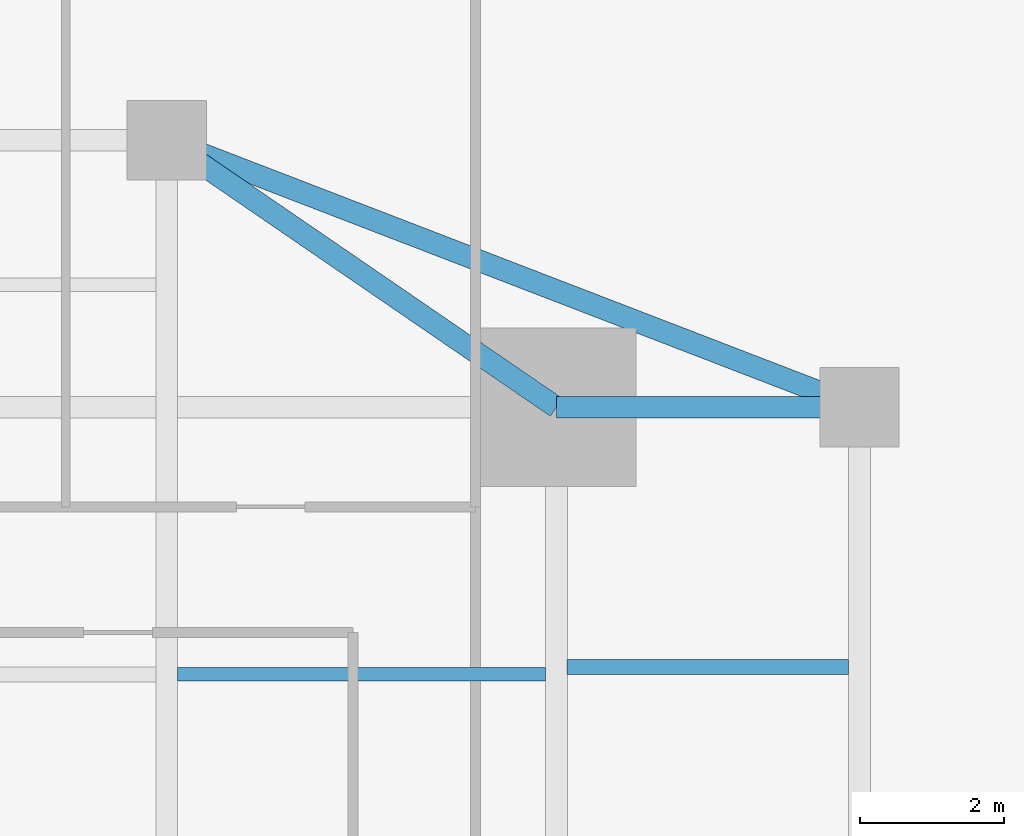
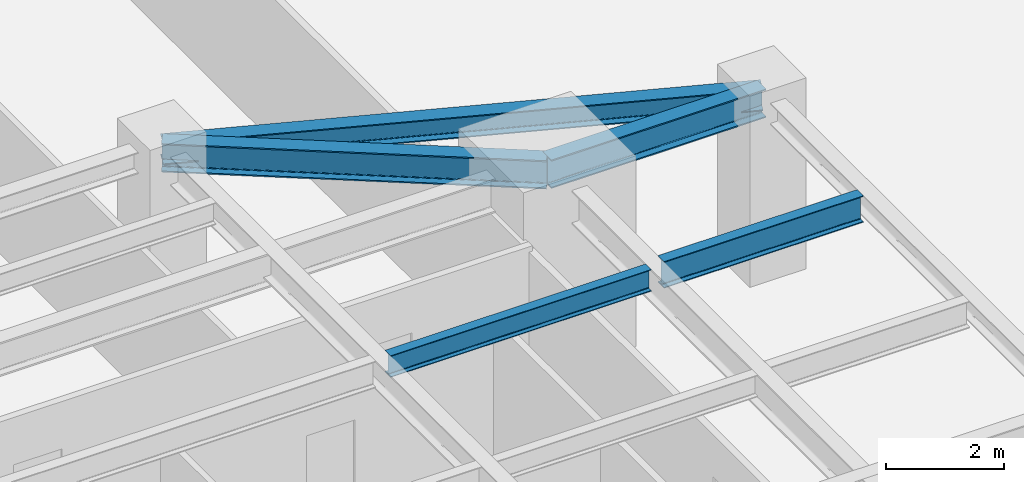
# One storey, part 21 of 28: 5 beams.
"""IFC4 building model written with IfcOpenShell, lengths in metres."""

from ifc_helpers import new_model, si_unit, direction, frame, origin, origin_2d, place, context, subcontext, project, spatial, i_section, extrude, source, transform, mapped, material, material_profile, profile_set, type_object, type_shapes, element, save


model = new_model("IFC4")

# Units and contexts
model_context = context("Model", 3, precision=1e-05, world=origin(), true_north=direction((0.0, 1.0)))
body_context = subcontext(model_context, "Body", "Model", "MODEL_VIEW")
ifc_project = project(units=[si_unit("LENGTHUNIT", "METRE"), si_unit("AREAUNIT", "SQUARE_METRE"), si_unit("VOLUMEUNIT", "CUBIC_METRE"), si_unit("PLANEANGLEUNIT", "RADIAN"), si_unit("MASSUNIT", "GRAM", prefix="KILO")], contexts=[model_context])

# Site, building, storey
site_placement = place(None, origin())
site = spatial("IfcSite", under=ifc_project, at=site_placement, CompositionType="ELEMENT")
building_placement = place(site_placement, origin())
building = spatial("IfcBuilding", under=site, at=building_placement, Name="Krantzveldt Concourse Tower", CompositionType="ELEMENT")
storey_placement = place(building_placement, frame((0.0, 0.0, 28.949951171875)))
storey = spatial("IfcBuildingStorey", under=building, at=storey_placement, Name="L06", CompositionType="ELEMENT", Elevation=28.949951171875)

# Beams
ifc_material = material(Name="Steel S355JR", Category="steel")
ifc_material_profile_1 = material_profile(ifc_material, i_section(OverallWidth=0.300048828125, OverallDepth=0.43994140625, WebThickness=0.011474609375, FlangeThickness=0.02099609375, FilletRadius=0.027099609375, at=origin_2d()), Name="Steel S355JR", Category="steel")
ifc_profile_set_1 = profile_set([ifc_material_profile_1], Name="Steel S355JR - HEA 450")
beam_type_1 = type_object("IfcBeamType", Name="BM-SP-HEA450", PredefinedType="SPANDREL", material=ifc_profile_set_1)
shared_shape_1 = source(origin(), body_context, "Body", "SweptSolid", [
    extrude(i_section(OverallWidth=0.300048828125, OverallDepth=0.43994140625, WebThickness=0.011474609375, FlangeThickness=0.02099609375, FilletRadius=0.027099609375, at=origin_2d()), origin(), (0.0, 0.0, 1.0), 10.288330078125),
])
type_shapes(beam_type_1, [shared_shape_1])
beam_1_placement = place(storey_placement, frame((41.39990234375, 41.199951171875, 3.449951171875), z_axis=(0.933097690408, -0.359622997257, 0.0), x_axis=(0.359622997257, 0.933097690408, 0.0)))
element("IfcBeam", 1, at=beam_1_placement, inside=storey, type_object=beam_type_1, Name="L06 Tower Girder SP-R05", PredefinedType="SPANDREL", context=body_context, shape_type="MappedRepresentation", body=[
    mapped(shared_shape_1, transform((0.0, 0.0, 0.0), x_axis=(1.0, 0.0, 0.0), y_axis=(0.0, 1.0, 0.0), z_axis=(0.0, 0.0, 1.0), scale=1.0)),
])
ifc_material_profile_2 = material_profile(ifc_material, i_section(OverallWidth=0.300048828125, OverallDepth=0.590087890625, WebThickness=0.012939453125, FlangeThickness=0.02490234375, FilletRadius=0.027099609375, at=origin_2d()), Name="Steel S355JR", Category="steel")
ifc_profile_set_2 = profile_set([ifc_material_profile_2], Name="Steel S355JR - HEA 600")
beam_type_2 = type_object("IfcBeamType", Name="BM-B-HEA600", PredefinedType="BEAM", material=ifc_profile_set_2)
shared_shape_2 = source(origin(), body_context, "Body", "SweptSolid", [
    extrude(i_section(OverallWidth=0.300048828125, OverallDepth=0.590087890625, WebThickness=0.012939453125, FlangeThickness=0.02490234375, FilletRadius=0.027099609375, at=origin_2d()), origin(), (0.0, 0.0, 1.0), 4.199951171875),
])
beam_2_placement = place(storey_placement, frame((46.800048828125, 37.5, 3.375), z_axis=(1.0, 0.0, 0.0), x_axis=(0.0, 1.0, 0.0)))
element("IfcBeam", 2, at=beam_2_placement, inside=storey, type_object=beam_type_2, Name="L06 Tower Girder BR-RR3", PredefinedType="BEAM", context=body_context, shape_type="MappedRepresentation", body=[
    mapped(shared_shape_2, transform((0.0, 0.0, 0.0), x_axis=(1.0, 0.0, 0.0), y_axis=(0.0, 1.0, 0.0), z_axis=(0.0, 0.0, 1.0), scale=1.0)),
])
shared_shape_3 = source(origin(), body_context, "Body", "SweptSolid", [
    extrude(i_section(OverallWidth=0.300048828125, OverallDepth=0.590087890625, WebThickness=0.012939453125, FlangeThickness=0.02490234375, FilletRadius=0.027099609375, at=origin_2d()), origin(), (0.0, 0.0, 1.0), 6.546142578125),
])
type_shapes(beam_type_2, [shared_shape_2, shared_shape_3])
beam_3_placement = place(storey_placement, frame((46.800048828125, 37.5, 3.375), z_axis=(-0.824942999484, 0.565215930068, 0.0), x_axis=(-0.565215930068, -0.824942999484, 0.0)))
element("IfcBeam", 3, at=beam_3_placement, inside=storey, type_object=beam_type_2, Name="L06 Tower Girder BR-RR4", PredefinedType="BEAM", context=body_context, shape_type="MappedRepresentation", body=[
    mapped(shared_shape_3, transform((0.0, 0.0, 0.0), x_axis=(1.0, 0.0, 0.0), y_axis=(0.0, 1.0, 0.0), z_axis=(0.0, 0.0, 1.0), scale=1.0)),
])
ifc_material_profile_3 = material_profile(ifc_material, i_section(OverallWidth=0.18994140625, OverallDepth=0.449951171875, WebThickness=0.009521484375, FlangeThickness=0.0146484375, FilletRadius=0.02099609375, at=origin_2d()), Name="Steel S355JR", Category="steel")
ifc_profile_set_3 = profile_set([ifc_material_profile_3], Name="Steel S355JR - IPE 450")
beam_type_3 = type_object("IfcBeamType", Name="BM-J-IPE450", PredefinedType="JOIST", material=ifc_profile_set_3)
shared_shape_4 = source(origin(), body_context, "Body", "SweptSolid", [
    extrude(i_section(OverallWidth=0.18994140625, OverallDepth=0.449951171875, WebThickness=0.009521484375, FlangeThickness=0.0146484375, FilletRadius=0.02099609375, at=origin_2d()), origin(), (0.0, 0.0, 1.0), 5.099853515625),
])
type_shapes(beam_type_3, [shared_shape_4])
beam_4_placement = place(storey_placement, frame((41.550048828125, 33.800048828125, 3.445068359375), z_axis=(1.0, 0.0, 0.0), x_axis=(0.0, 1.0, 0.0)))
element("IfcBeam", 4, at=beam_4_placement, inside=storey, type_object=beam_type_3, Name="L06 Secondary Floor Joist JN-E2", PredefinedType="JOIST", context=body_context, shape_type="MappedRepresentation", body=[
    mapped(shared_shape_4, transform((0.0, 0.0, 0.0), x_axis=(1.0, 0.0, 0.0), y_axis=(0.0, 1.0, 0.0), z_axis=(0.0, 0.0, 1.0), scale=1.0)),
])
ifc_material_profile_4 = material_profile(ifc_material, i_section(OverallWidth=0.2099609375, OverallDepth=0.550048828125, WebThickness=0.010986328125, FlangeThickness=0.01708984375, FilletRadius=0.02392578125, at=origin_2d()), Name="Steel S355JR", Category="steel")
ifc_profile_set_4 = profile_set([ifc_material_profile_4], Name="Steel S355JR - IPE 550")
beam_type_4 = type_object("IfcBeamType", Name="BM-J-IPE550", PredefinedType="JOIST", material=ifc_profile_set_4)
shared_shape_5 = source(origin(), body_context, "Body", "SweptSolid", [
    extrude(i_section(OverallWidth=0.2099609375, OverallDepth=0.550048828125, WebThickness=0.010986328125, FlangeThickness=0.01708984375, FilletRadius=0.02392578125, at=origin_2d()), origin(), (0.0, 0.0, 1.0), 3.900146484375),
])
type_shapes(beam_type_4, [shared_shape_5])
beam_5_placement = place(storey_placement, frame((46.949951171875, 33.89990234375, 3.39501953125), z_axis=(1.0, 0.0, 0.0), x_axis=(0.0, 1.0, 0.0)))
element("IfcBeam", 5, at=beam_5_placement, inside=storey, type_object=beam_type_4, Name="L06 Secondary Floor Joist JE-4", PredefinedType="JOIST", context=body_context, shape_type="MappedRepresentation", body=[
    mapped(shared_shape_5, transform((0.0, 0.0, 0.0), x_axis=(1.0, 0.0, 0.0), y_axis=(0.0, 1.0, 0.0), z_axis=(0.0, 0.0, 1.0), scale=1.0)),
])

save(model, "model.ifc")
